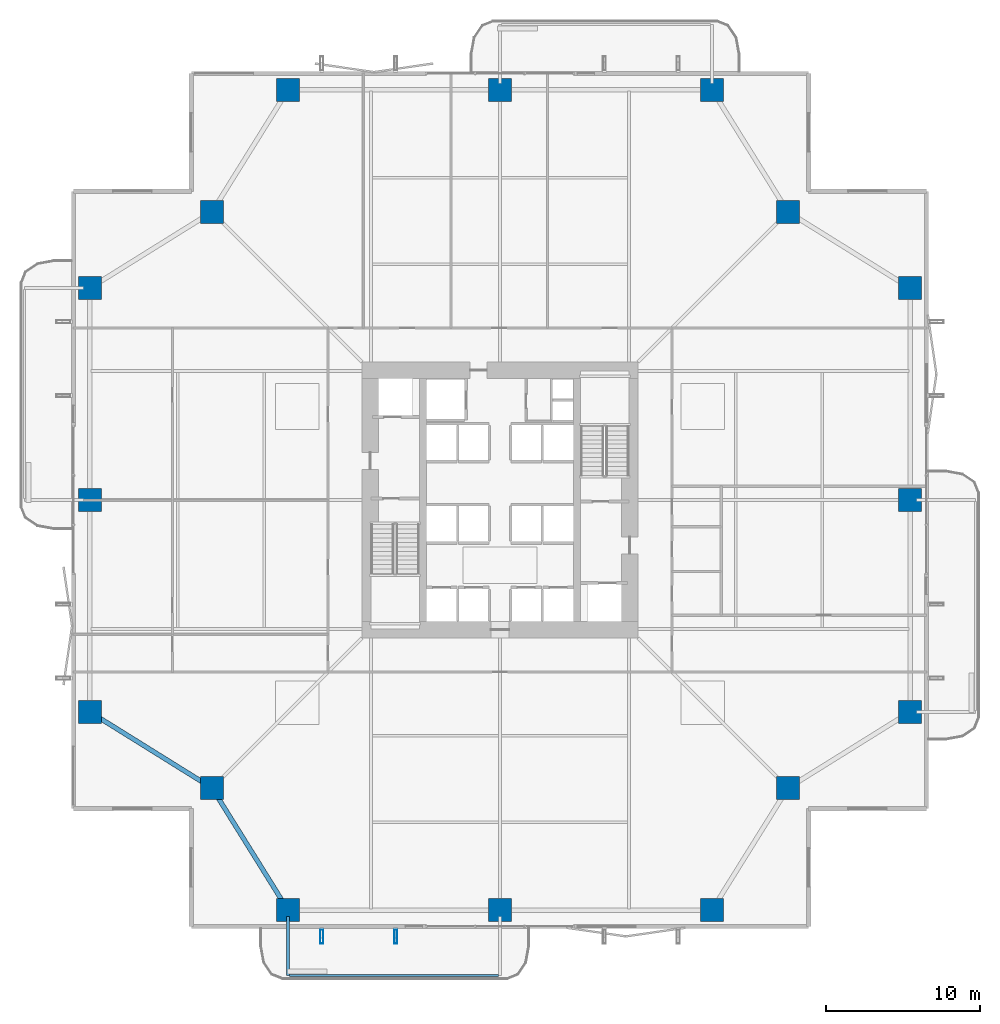
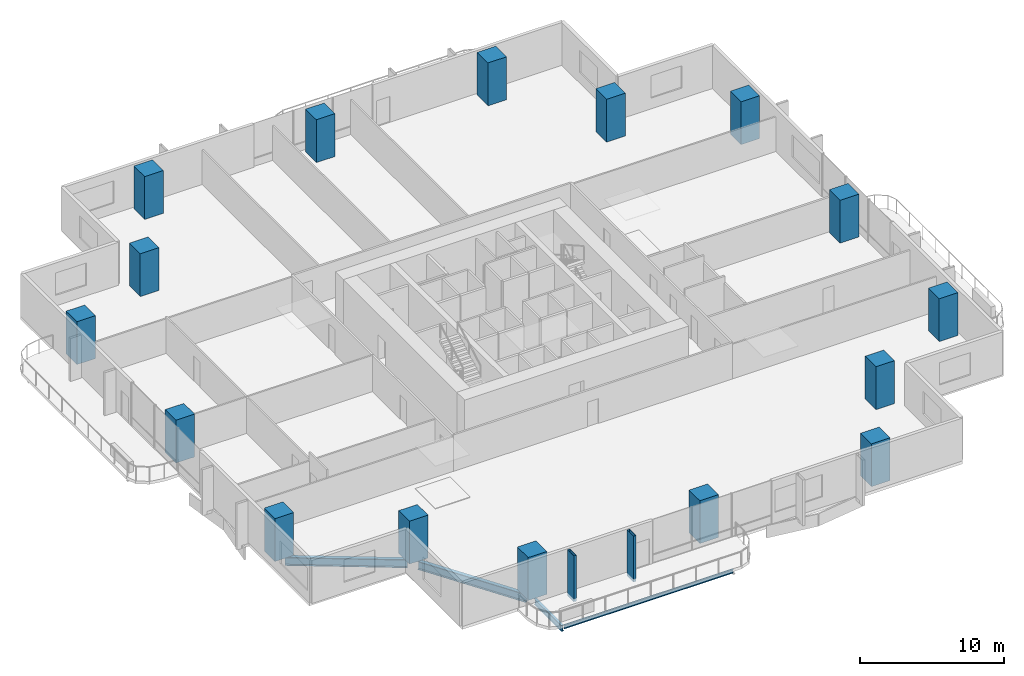
# One storey, part 1 of 23: 16 columns, 4 beams, 2 members.
"""IFC4 building model written with IfcOpenShell, lengths in metres."""

import ifcopenshell
import ifcopenshell.guid

model = None  # the IFC model being written
_history = None  # IfcOwnerHistory: only IFC2X3 demands one
_inside = {}  # id of a spatial element -> (the spatial element, [elements in it])
_under = {}  # id of a project, library or spatial element -> (it, [spatial elements below it])
_declared = {}  # id of a project -> (the project, [libraries it declares])
_typed = {}  # id of a type object -> (the type object, [elements of that type])
_made_of = {}  # id of a material, layer set ... -> (it, [elements and type objects made of it])


def new_model(schema):
    """Start an empty IFC model of exactly this schema.

    Asked for "IFC4X3", IfcOpenShell would pick the latest addendum, in which some entities
    have other attributes; the version numbers below select the first issue.
    IFC2X3 requires an IfcOwnerHistory on every rooted entity: one is made here for all.
    """
    global model, _history
    if schema == "IFC4X3":
        model = ifcopenshell.file(schema_version=(4, 3, 0, 0))
    else:
        model = ifcopenshell.file(schema=schema)
    _inside.clear()
    _under.clear()
    _declared.clear()
    _typed.clear()
    _made_of.clear()
    _history = None
    if model.schema == "IFC2X3":
        org = make("IfcOrganization", Name="unknown")
        user = make(
            "IfcPersonAndOrganization",
            ThePerson=make("IfcPerson", FamilyName="unknown"),
            TheOrganization=org,
        )
        app = make(
            "IfcApplication",
            ApplicationDeveloper=org,
            Version="unknown",
            ApplicationFullName="unknown",
            ApplicationIdentifier="unknown",
        )
        _history = make(
            "IfcOwnerHistory",
            OwningUser=user,
            OwningApplication=app,
            ChangeAction="ADDED",
            CreationDate=0,
        )
    return model


def make(cls, **values):
    """One entity of the class cls with the attributes given. An attribute that is None is left unset."""
    return model.create_entity(
        cls, **{name: value for name, value in values.items() if value is not None}
    )


def rooted(cls, **values):
    """An entity with a GlobalId (a new one), such as an element, a storey or a relation."""
    return make(cls, GlobalId=ifcopenshell.guid.new(), OwnerHistory=_history, **values)


def si_unit(unit_type, name, prefix=None):
    """IfcSIUnit, for example si_unit("LENGTHUNIT", "METRE", prefix="MILLI")."""
    return make("IfcSIUnit", UnitType=unit_type, Prefix=prefix, Name=name)


def assignment(units):
    """IfcUnitAssignment: the units of a project."""
    return None if units is None else make("IfcUnitAssignment", Units=units)


def point(xyz):
    """IfcCartesianPoint."""
    return None if xyz is None else make("IfcCartesianPoint", Coordinates=xyz)


def direction(xyz):
    """IfcDirection."""
    return None if xyz is None else make("IfcDirection", DirectionRatios=xyz)


def frame(location, z_axis=None, x_axis=None):
    """IfcAxis2Placement3D, a coordinate frame: its origin and axes. An axis left out is left unset."""
    return make(
        "IfcAxis2Placement3D",
        Location=point(location),
        Axis=direction(z_axis),
        RefDirection=direction(x_axis),
    )


def frame_2d(location, x_axis=None):
    """IfcAxis2Placement2D, a coordinate frame in the plane: its origin and x axis."""
    return make(
        "IfcAxis2Placement2D", Location=point(location), RefDirection=direction(x_axis)
    )


def origin():
    """The frame at (0, 0, 0) with its axes left unset."""
    return frame((0.0, 0.0, 0.0))


def origin_2d():
    """The frame at (0, 0) in the plane with its x axis left unset."""
    return frame_2d((0.0, 0.0))


def place(relative_to, where):
    """IfcLocalPlacement: puts the frame where relative to a parent placement (None: the world)."""
    return make(
        "IfcLocalPlacement", PlacementRelTo=relative_to, RelativePlacement=where
    )


def context(
    kind, dimensions, precision=None, world=None, true_north=None, identifier=None
):
    """IfcGeometricRepresentationContext, for example the 3D "Model" context."""
    return make(
        "IfcGeometricRepresentationContext",
        ContextIdentifier=identifier,
        ContextType=kind,
        CoordinateSpaceDimension=dimensions,
        Precision=precision,
        WorldCoordinateSystem=world,
        TrueNorth=true_north,
    )


def subcontext(parent, identifier, kind, view, scale=None):
    """IfcGeometricRepresentationSubContext, for example "Body" below "Model"."""
    return make(
        "IfcGeometricRepresentationSubContext",
        ContextIdentifier=identifier,
        ContextType=kind,
        ParentContext=parent,
        TargetScale=scale,
        TargetView=view,
    )


def project(units=None, contexts=None):
    """IfcProject with its units and contexts."""
    return rooted(
        "IfcProject",
        Name="project",
        RepresentationContexts=contexts,
        UnitsInContext=assignment(units),
    )


def spatial(cls, under=None, at=None, **own):
    """A site, building, storey or space (cls), placed at a placement, below another one or the project."""
    s = rooted(cls, ObjectPlacement=at, **own)
    if under is not None:
        _under.setdefault(under.id(), (under, []))[1].append(s)
    return s


def profile(cls, at=None, kind="AREA", **sizes):
    """A parametric profile (cls). Its sizes go by their IFC names, for example OverallWidth=200.0."""
    return make(cls, ProfileType=kind, Position=at, **sizes)


def rectangle(**sizes):
    """IfcRectangleProfileDef."""
    return profile("IfcRectangleProfileDef", **sizes)


def hollow_rectangle(**sizes):
    """IfcRectangleHollowProfileDef."""
    return profile("IfcRectangleHollowProfileDef", **sizes)


def i_section(**sizes):
    """IfcIShapeProfileDef."""
    return profile("IfcIShapeProfileDef", **sizes)


def extrude(swept, where, along, depth):
    """IfcExtrudedAreaSolid: the profile swept, set in the frame where, extruded along a direction by depth."""
    return make(
        "IfcExtrudedAreaSolid",
        SweptArea=swept,
        Position=where,
        ExtrudedDirection=direction(along),
        Depth=depth,
    )


def shape(context_of_items, identifier, shape_type, items):
    """IfcShapeRepresentation: the items that make up one representation, for example the "Body"."""
    return make(
        "IfcShapeRepresentation",
        ContextOfItems=context_of_items,
        RepresentationIdentifier=identifier,
        RepresentationType=shape_type,
        Items=items,
    )


def material(Name=None, Category=None):
    """IfcMaterial."""
    return make("IfcMaterial", Name=Name, Category=Category)


def material_profile(
    of_material, cross_section, Name=None, Category=None, Priority=None
):
    """IfcMaterialProfile: a cross section and its material."""
    return make(
        "IfcMaterialProfile",
        Name=Name,
        Material=of_material,
        Profile=cross_section,
        Priority=Priority,
        Category=Category,
    )


def profile_set(profiles, Name=None, composite=None):
    """IfcMaterialProfileSet."""
    return make(
        "IfcMaterialProfileSet",
        Name=Name,
        MaterialProfiles=profiles,
        CompositeProfile=composite,
    )


def made_of(thing, what):
    """Note that an element or type object is made of a material, layer set ...; save() writes the relation."""
    if what is not None:
        _made_of.setdefault(what.id(), (what, []))[1].append(thing)
    return thing


def type_object(cls, material=None, **own):
    """A type object (cls), such as IfcWallType, which elements share."""
    return made_of(rooted(cls, **own), material)


def element(
    cls,
    number,
    at=None,
    inside=None,
    cuts=None,
    type_object=None,
    material=None,
    context=None,
    identifier="Body",
    shape_type=None,
    held_by="IfcProductDefinitionShape",
    body=None,
    shapes=None,
    **own,
):
    """One element of the class cls, such as IfcWall. Its Tag is "e" and its number.

    at: its placement. inside: the storey or other place that contains it. cuts: it is an
    opening in that element (IfcRelVoidsElement). A single representation is given by context,
    identifier, shape_type and body (its items); several are given by shapes. held_by: the class
    of the entity that holds the representations. save() writes the other relations.
    """
    e = rooted(cls, Tag="e%d" % number, ObjectPlacement=at, **own)
    if body is not None:
        shapes = [shape(context, identifier, shape_type, body)]
    if shapes is not None:
        e.Representation = make(held_by, Representations=shapes)
    if inside is not None:
        _inside.setdefault(inside.id(), (inside, []))[1].append(e)
    if cuts is not None:
        rooted(
            "IfcRelVoidsElement", RelatingBuildingElement=cuts, RelatedOpeningElement=e
        )
    if type_object is not None:
        _typed.setdefault(type_object.id(), (type_object, []))[1].append(e)
    return made_of(e, material)


def aggregate(whole, parts):
    """IfcRelAggregates: a whole, such as a stair, and the parts it consists of."""
    return rooted("IfcRelAggregates", RelatingObject=whole, RelatedObjects=parts)


def save(model, path):
    """Write the relations noted so far, then the file.

    IfcRelAggregates (storeys below a building ...), IfcRelContainedInSpatialStructure (elements
    in a storey), IfcRelDefinesByType, IfcRelAssociatesMaterial and IfcRelDeclares: one each for
    every whole, place, type object, material and project.
    """
    for whole, parts in _under.values():
        aggregate(whole, parts)
    for where, things in _inside.values():
        rooted(
            "IfcRelContainedInSpatialStructure",
            RelatedElements=things,
            RelatingStructure=where,
        )
    for kind, things in _typed.values():
        rooted("IfcRelDefinesByType", RelatedObjects=things, RelatingType=kind)
    for what, things in _made_of.values():
        rooted("IfcRelAssociatesMaterial", RelatedObjects=things, RelatingMaterial=what)
    for by, libraries in _declared.values():
        rooted("IfcRelDeclares", RelatingContext=by, RelatedDefinitions=libraries)
    model.write(path)


model = new_model("IFC4")

# Units and contexts
model_context = context("Model", 3, precision=1e-05, world=origin(), true_north=direction((0.0, 1.0)))
body_context = subcontext(model_context, "Body", "Model", "MODEL_VIEW")
ifc_project = project(units=[si_unit("LENGTHUNIT", "METRE"), si_unit("AREAUNIT", "SQUARE_METRE"), si_unit("VOLUMEUNIT", "CUBIC_METRE"), si_unit("PLANEANGLEUNIT", "RADIAN"), si_unit("MASSUNIT", "GRAM", prefix="KILO")], contexts=[model_context])

# Site, building, storey
site_placement = place(None, origin())
site = spatial("IfcSite", under=ifc_project, at=site_placement, CompositionType="ELEMENT")
building_placement = place(site_placement, origin())
building = spatial("IfcBuilding", under=site, at=building_placement, Name="Belovzor Exchange Tower", CompositionType="ELEMENT")
storey_placement = place(building_placement, frame((0.0, 0.0, 100.199951171875)))
storey = spatial("IfcBuildingStorey", under=building, at=storey_placement, Name="L24", CompositionType="ELEMENT", Elevation=100.199951171875)

# Columns
ifc_material_1 = material(Name="Concrete C60/75", Category="concrete")
ifc_material_profile_1 = material_profile(ifc_material_1, rectangle(XDim=1.5, YDim=1.5, at=origin_2d()))
ifc_profile_set_1 = profile_set([ifc_material_profile_1], Name="Concrete C60/75")
column_type = type_object("IfcColumnType", Name="Reinforced Concrete Tower Column 1500x1500", PredefinedType="COLUMN", material=ifc_profile_set_1)
for number, where, z_axis, x_axis, name in (
    (1, (15.0, 2.10009765625, 0.0029296875), (0.0, 0.0, 1.0), (1.0, 0.0, 0.0), "COL-T150 Reinforced Concrete Tower Column 1500x1500"),
    (2, (28.800048828125, 2.10009765625, 0.0029296875), (0.0, 0.0, 1.0), (1.0, 0.0, 0.0), "COL-T150 Reinforced Concrete Tower Column 1500x1500"),
    (3, (42.60009765625, 2.10009765625, 0.0029296875), (0.0, 0.0, 1.0), (1.0, 0.0, 0.0), "COL-T150 Reinforced Concrete Tower Column 1500x1500"),
    (4, (55.5, 15.0, 0.0029296875), (0.0, 0.0, 1.0), (1.0, 0.0, 0.0), "COL-T150 Reinforced Concrete Tower Column 1500x1500"),
    (5, (55.5, 28.800048828125, 0.0029296875), (0.0, 0.0, 1.0), (1.0, 0.0, 0.0), "COL-T150 Reinforced Concrete Tower Column 1500x1500"),
    (6, (55.5, 42.60009765625, 0.0029296875), (0.0, 0.0, 1.0), (1.0, 0.0, 0.0), "COL-T150 Reinforced Concrete Tower Column 1500x1500"),
    (7, (42.60009765625, 55.5, 0.0029296875), (0.0, 0.0, 1.0), (1.0, 0.0, 0.0), "COL-T150 Reinforced Concrete Tower Column 1500x1500"),
    (8, (28.800048828125, 55.5, 0.0029296875), (0.0, 0.0, 1.0), (1.0, 0.0, 0.0), "COL-T150 Reinforced Concrete Tower Column 1500x1500"),
    (9, (15.0, 55.5, 0.0029296875), (0.0, 0.0, 1.0), (1.0, 0.0, 0.0), "COL-T150 Reinforced Concrete Tower Column 1500x1500"),
    (10, (2.10009765625, 42.60009765625, 0.0029296875), (0.0, 0.0, 1.0), (1.0, 0.0, 0.0), "COL-T150 Reinforced Concrete Tower Column 1500x1500"),
    (11, (2.10009765625, 28.800048828125, 0.0029296875), (0.0, 0.0, 1.0), (1.0, 0.0, 0.0), "COL-T150 Reinforced Concrete Tower Column 1500x1500"),
    (12, (2.10009765625, 15.0, 0.0029296875), (0.0, 0.0, 1.0), (1.0, 0.0, 0.0), "COL-T150 Reinforced Concrete Tower Column 1500x1500"),
    (13, (10.050048828125, 10.050048828125, 0.0029296875), (0.0, 0.0, 1.0), (1.0, 0.0, 0.0), "COL-T150 Reinforced Concrete Tower Column 1500x1500"),
    (14, (47.550048828125, 10.050048828125, 0.0029296875), (0.0, 0.0, 1.0), (1.0, 0.0, 0.0), "COL-T150 Reinforced Concrete Tower Column 1500x1500"),
    (15, (47.550048828125, 47.550048828125, 0.0029296875), (0.0, 0.0, 1.0), (1.0, 0.0, 0.0), "COL-T150 Reinforced Concrete Tower Column 1500x1500"),
    (16, (10.050048828125, 47.550048828125, 0.0029296875), (0.0, 0.0, 1.0), (1.0, 0.0, 0.0), "COL-T150 Reinforced Concrete Tower Column 1500x1500"),
):
    element("IfcColumn", number, at=place(storey_placement, frame(where, z_axis=z_axis, x_axis=x_axis)), inside=storey, type_object=column_type, Name=name, PredefinedType="COLUMN", context=body_context, shape_type="SweptSolid", body=[
        extrude(rectangle(XDim=1.5, YDim=1.5, at=origin_2d()), origin(), (0.0, 0.0, 1.0), 3.64404296875),
    ])

# Beams
ifc_material_2 = material(Name="Steel S355", Category="steel")
ifc_material_profile_2 = material_profile(ifc_material_2, i_section(OverallWidth=0.199951171875, OverallDepth=0.5, WebThickness=0.01025390625, FlangeThickness=0.01611328125, at=origin_2d()))
ifc_profile_set_2 = profile_set([ifc_material_profile_2], Name="Steel S355")
beam_type_1 = type_object("IfcBeamType", Name="Planted Balcony Cantilever Beam IPE 500", PredefinedType="BEAM", material=ifc_profile_set_2)
beam_1_placement = place(storey_placement, frame((15.0, 1.68798828125, -0.5), z_axis=(0.0, -1.0, 0.0), x_axis=(1.0, 0.0, 0.0)))
element("IfcBeam", 17, at=beam_1_placement, inside=storey, type_object=beam_type_1, Name="BC-500 Planted Balcony Cantilever Beam IPE 500", PredefinedType="BEAM", context=body_context, shape_type="SweptSolid", body=[
    extrude(i_section(OverallWidth=0.199951171875, OverallDepth=0.5, WebThickness=0.01025390625, FlangeThickness=0.01611328125, at=origin_2d()), origin(), (0.0, 0.0, 1.0), 3.85009765625),
])
ifc_material_3 = material(Name="Steel S355", Category="steel")
ifc_material_profile_3 = material_profile(ifc_material_3, i_section(OverallWidth=0.14990234375, OverallDepth=0.300048828125, WebThickness=0.007080078125, FlangeThickness=0.0107421875, at=origin_2d()))
ifc_profile_set_3 = profile_set([ifc_material_profile_3], Name="Steel S355")
beam_type_2 = type_object("IfcBeamType", Name="Planted Balcony Fascia Edge Beam IPE 300", PredefinedType="BEAM", material=ifc_profile_set_3)
beam_2_placement = place(storey_placement, frame((15.10009765625, -2.162109375, -0.39990234375), z_axis=(1.0, 0.0, 0.0), x_axis=(0.0, 1.0, 0.0)))
element("IfcBeam", 18, at=beam_2_placement, inside=storey, type_object=beam_type_2, Name="BC-300 Planted Balcony Fascia Edge Beam IPE 300", PredefinedType="BEAM", context=body_context, shape_type="SweptSolid", body=[
    extrude(i_section(OverallWidth=0.14990234375, OverallDepth=0.300048828125, WebThickness=0.007080078125, FlangeThickness=0.0107421875, at=origin_2d()), origin(), (0.0, 0.0, 1.0), 13.599853515625),
])

# Members
ifc_material_4 = material(Name="Extruded Architectural Terracotta on Steel S355 Carrier", Category="masonry")
ifc_material_profile_4 = material_profile(ifc_material_4, hollow_rectangle(XDim=0.199951171875, YDim=0.89990234375, WallThickness=0.011962890625, at=origin_2d()))
ifc_profile_set_4 = profile_set([ifc_material_profile_4], Name="Extruded Architectural Terracotta on Steel S355 Carrier")
member_type = type_object("IfcMemberType", Name="Sweeping Terracotta Baguette Fin Assembly 1250", PredefinedType="USERDEFINED", material=ifc_profile_set_4)
for number, where, z_axis, x_axis, name in (
    (19, (17.199951171875, 0.375, -0.25), (0.0, 0.0, 1.0), (1.0, 0.0, 0.0), "FIN-TC125 Terracotta Facade Fin L24 S1"),
    (20, (22.0, 0.375, -0.25), (0.0, 0.0, 1.0), (1.0, 0.0, 0.0), "FIN-TC125 Terracotta Facade Fin L24 S2"),
):
    element("IfcMember", number, at=place(storey_placement, frame(where, z_axis=z_axis, x_axis=x_axis)), inside=storey, type_object=member_type, Name=name, ObjectType="FIN", PredefinedType="USERDEFINED", context=body_context, shape_type="SweptSolid", body=[
        extrude(hollow_rectangle(XDim=0.199951171875, YDim=0.89990234375, WallThickness=0.011962890625, at=origin_2d()), origin(), (0.0, 0.0, 1.0), 3.900146484375),
    ])

# Beams
ifc_material_5 = material(Name="Steel S355", Category="steel")
ifc_material_profile_5 = material_profile(ifc_material_5, i_section(OverallWidth=0.300048828125, OverallDepth=0.699951171875, WebThickness=0.01708984375, FlangeThickness=0.031982421875, at=origin_2d()))
ifc_profile_set_5 = profile_set([ifc_material_profile_5], Name="Steel S355")
beam_type_3 = type_object("IfcBeamType", Name="Zone 1 Primary Perimeter Girder HEB 700", PredefinedType="BEAM", material=ifc_profile_set_5)
for number, where, z_axis, x_axis, name in (
    (21, (10.26806640625, 9.699951171875, -0.599853515625), (0.528538629686, -0.848909251292, 0.0), (0.848909251292, 0.528538629686, 0.0), "FG-Z1 Zone 1 Primary Perimeter Girder HEB 700"),
    (22, (2.449951171875, 14.781982421875, -0.599853515625), (0.848909251292, -0.528538629686, 0.0), (0.528538629686, 0.848909251292, 0.0), "FG-Z1 Zone 1 Primary Perimeter Girder HEB 700"),
):
    element("IfcBeam", number, at=place(storey_placement, frame(where, z_axis=z_axis, x_axis=x_axis)), inside=storey, type_object=beam_type_3, Name=name, PredefinedType="BEAM", context=body_context, shape_type="SweptSolid", body=[
        extrude(i_section(OverallWidth=0.300048828125, OverallDepth=0.699951171875, WebThickness=0.01708984375, FlangeThickness=0.031982421875, at=origin_2d()), origin(), (0.0, 0.0, 1.0), 8.540283203125),
    ])

save(model, "model.ifc")
